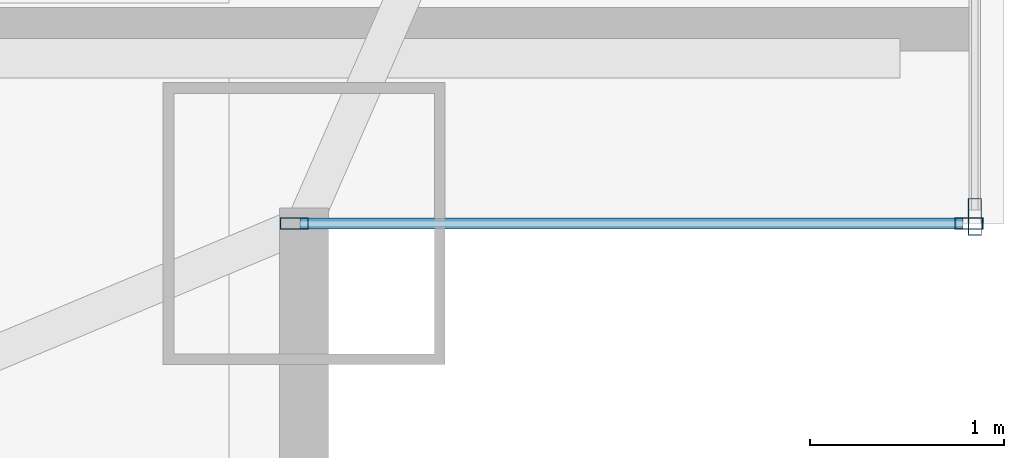
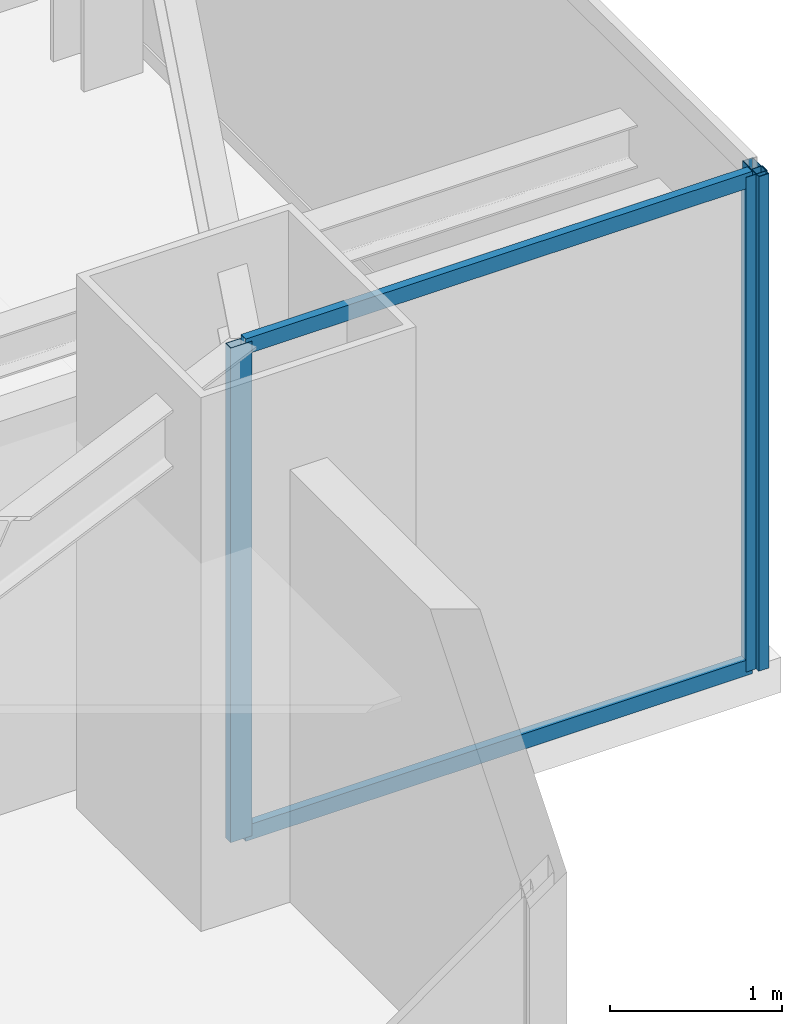
# One storey, part 16 of 31: 5 members, 2 elements without a shape of their own.
"""IFC4 building model written with IfcOpenShell, lengths in metres."""

from ifc_helpers import new_model, si_unit, direction, frame, origin, origin_2d, place, context, subcontext, project, spatial, hollow_rectangle, extrude, source, transform, mapped, material, layer, layer_set, material_profile, profile_set, type_object, type_shapes, element, aggregate, save


model = new_model("IFC4")

# Units and contexts
model_context = context("Model", 3, precision=1e-05, world=origin(), true_north=direction((0.0, 1.0)))
body_context = subcontext(model_context, "Body", "Model", "MODEL_VIEW")
ifc_project = project(units=[si_unit("LENGTHUNIT", "METRE"), si_unit("AREAUNIT", "SQUARE_METRE"), si_unit("VOLUMEUNIT", "CUBIC_METRE"), si_unit("PLANEANGLEUNIT", "RADIAN"), si_unit("MASSUNIT", "GRAM", prefix="KILO")], contexts=[model_context])

# Site, building, storey
site_placement = place(None, origin())
site = spatial("IfcSite", under=ifc_project, at=site_placement, CompositionType="ELEMENT")
building_placement = place(site_placement, origin())
building = spatial("IfcBuilding", under=site, at=building_placement, Name="Varnel Quay Broadcast Tower", CompositionType="ELEMENT")
storey_placement = place(building_placement, frame((0.0, 0.0, 94.60009765625)))
storey = spatial("IfcBuildingStorey", under=building, at=storey_placement, Name="L22", CompositionType="ELEMENT", Elevation=94.60009765625)

# Curtain wall, members
ifc_material = material(Name="Anodised Bronze Aluminium 6063-T6", Category="aluminium")
ifc_layer_1 = layer(ifc_material, 0.18994140625, Name="Anodised Bronze Aluminium 6063-T6")
ifc_layer_set_1 = layer_set([ifc_layer_1], Name="Anodised Bronze Aluminium 6063-T6")
curtain_wall_type_1 = type_object("IfcCurtainWallType", Name="CW_NotchCorner", PredefinedType="NOTDEFINED", material=ifc_layer_set_1)
curtain_wall_1_placement = place(storey_placement, origin())
curtain_wall_1 = element("IfcCurtainWall", 1, at=curtain_wall_1_placement, inside=storey, type_object=curtain_wall_type_1, Name="L22 SE Notch Curtain Wall", PredefinedType="NOTDEFINED")
ifc_material_profile_1 = material_profile(ifc_material, hollow_rectangle(XDim=0.054931640625, YDim=0.110107421875, WallThickness=0.0029296875, at=origin_2d()), Name="ALU55X110X3")
ifc_profile_set_1 = profile_set([ifc_material_profile_1], Name="Anodised Bronze Aluminium 6063-T6")
member_type_1 = type_object("IfcMemberType", Name="Tran_CWS-04", PredefinedType="USERDEFINED", material=ifc_profile_set_1)
shared_shape_1 = source(origin(), body_context, "Body", "SweptSolid", [
    extrude(hollow_rectangle(XDim=0.054931640625, YDim=0.110107421875, WallThickness=0.0029296875, at=origin_2d()), origin(), (0.0, 0.0, 1.0), 3.41015625),
])
type_shapes(member_type_1, [shared_shape_1])
member_1_placement = place(storey_placement, frame((59.8798828125, 7.800048828125, 0.02734375), z_axis=(1.0, 0.0, 0.0), x_axis=(0.0, 1.0, 0.0)))
member_1 = element("IfcMember", 2, at=member_1_placement, type_object=member_type_1, Name="CWS-04 transom 1.1", ObjectType="TRANSOM", PredefinedType="USERDEFINED", context=body_context, shape_type="MappedRepresentation", body=[
    mapped(shared_shape_1, transform((0.0, 0.0, 0.0), x_axis=(1.0, 0.0, 0.0), y_axis=(0.0, 1.0, 0.0), z_axis=(0.0, 0.0, 1.0), scale=1.0)),
])
member_2_placement = place(storey_placement, frame((59.8798828125, 7.800048828125, 3.492431640625), z_axis=(1.0, 0.0, 0.0), x_axis=(0.0, 1.0, 0.0)))
member_2 = element("IfcMember", 3, at=member_2_placement, type_object=member_type_1, Name="CWS-04 transom 1.2", ObjectType="TRANSOM", PredefinedType="USERDEFINED", context=body_context, shape_type="MappedRepresentation", body=[
    mapped(shared_shape_1, transform((0.0, 0.0, 0.0), x_axis=(1.0, 0.0, 0.0), y_axis=(0.0, 1.0, 0.0), z_axis=(0.0, 0.0, 1.0), scale=1.0)),
])

# Curtain wall, member
ifc_layer_2 = layer(ifc_material, 0.18994140625, Name="Anodised Bronze Aluminium 6063-T6")
ifc_layer_set_2 = layer_set([ifc_layer_2], Name="Anodised Bronze Aluminium 6063-T6")
curtain_wall_type_2 = type_object("IfcCurtainWallType", Name="CW_LowerTower", PredefinedType="NOTDEFINED", material=ifc_layer_set_2)
curtain_wall_2_placement = place(storey_placement, origin())
curtain_wall_2 = element("IfcCurtainWall", 4, at=curtain_wall_2_placement, inside=storey, type_object=curtain_wall_type_2, Name="L22 East Unitised Curtain Wall", PredefinedType="NOTDEFINED")
ifc_material_profile_2 = material_profile(ifc_material, hollow_rectangle(XDim=0.070068359375, YDim=0.18994140625, WallThickness=0.00390625, at=origin_2d()), Name="ALU70X190X4")
ifc_profile_set_2 = profile_set([ifc_material_profile_2], Name="Anodised Bronze Aluminium 6063-T6")
member_type_2 = type_object("IfcMemberType", Name="Mull_CWS-02", PredefinedType="MULLION", material=ifc_profile_set_2)
shared_shape_2 = source(origin(), body_context, "Body", "SweptSolid", [
    extrude(hollow_rectangle(XDim=0.070068359375, YDim=0.18994140625, WallThickness=0.00390625, at=origin_2d()), origin(), (0.0, 0.0, 1.0), 3.52001953125),
])
type_shapes(member_type_2, [shared_shape_2])
member_3_placement = place(storey_placement, frame((63.35009765625, 7.8349609375, 0.0), z_axis=(0.0, 0.0, 1.0), x_axis=(-1.0, 0.0, 0.0)))
member_3 = element("IfcMember", 5, at=member_3_placement, type_object=member_type_2, Name="CWS-02 mullion 1", PredefinedType="MULLION", context=body_context, shape_type="MappedRepresentation", body=[
    mapped(shared_shape_2, transform((0.0, 0.0, 0.0), x_axis=(1.0, 0.0, 0.0), y_axis=(0.0, 1.0, 0.0), z_axis=(0.0, 0.0, 1.0), scale=1.0)),
])
aggregate(curtain_wall_2, [member_3])

# Member
ifc_material_profile_3 = material_profile(ifc_material, hollow_rectangle(XDim=0.06005859375, YDim=0.14501953125, WallThickness=0.00341796875, at=origin_2d()), Name="ALU60X145X3.5")
ifc_profile_set_3 = profile_set([ifc_material_profile_3], Name="Anodised Bronze Aluminium 6063-T6")
member_type_3 = type_object("IfcMemberType", Name="Mull_CWS-04", PredefinedType="MULLION", material=ifc_profile_set_3)
shared_shape_3 = source(origin(), body_context, "Body", "SweptSolid", [
    extrude(hollow_rectangle(XDim=0.06005859375, YDim=0.14501953125, WallThickness=0.00341796875, at=origin_2d()), origin(), (0.0, 0.0, 1.0), 3.52001953125),
])
type_shapes(member_type_3, [shared_shape_3])
member_4_placement = place(storey_placement, frame((59.85009765625, 7.800048828125, 0.0), z_axis=(0.0, 0.0, 1.0), x_axis=(0.0, 1.0, 0.0)))
member_4 = element("IfcMember", 6, at=member_4_placement, type_object=member_type_3, Name="CWS-04 mullion 1", PredefinedType="MULLION", context=body_context, shape_type="MappedRepresentation", body=[
    mapped(shared_shape_3, transform((0.0, 0.0, 0.0), x_axis=(1.0, 0.0, 0.0), y_axis=(0.0, 1.0, 0.0), z_axis=(0.0, 0.0, 1.0), scale=1.0)),
])

member_5_placement = place(storey_placement, frame((63.320068359375, 7.800048828125, 0.0), z_axis=(0.0, 0.0, 1.0), x_axis=(0.0, 1.0, 0.0)))
member_5 = element("IfcMember", 7, at=member_5_placement, type_object=member_type_3, Name="CWS-04 mullion 2", PredefinedType="MULLION", context=body_context, shape_type="MappedRepresentation", body=[
    mapped(shared_shape_3, transform((0.0, 0.0, 0.0), x_axis=(1.0, 0.0, 0.0), y_axis=(0.0, 1.0, 0.0), z_axis=(0.0, 0.0, 1.0), scale=1.0)),
])

aggregate(curtain_wall_1, [member_4, member_5, member_1, member_2])

save(model, "model.ifc")
